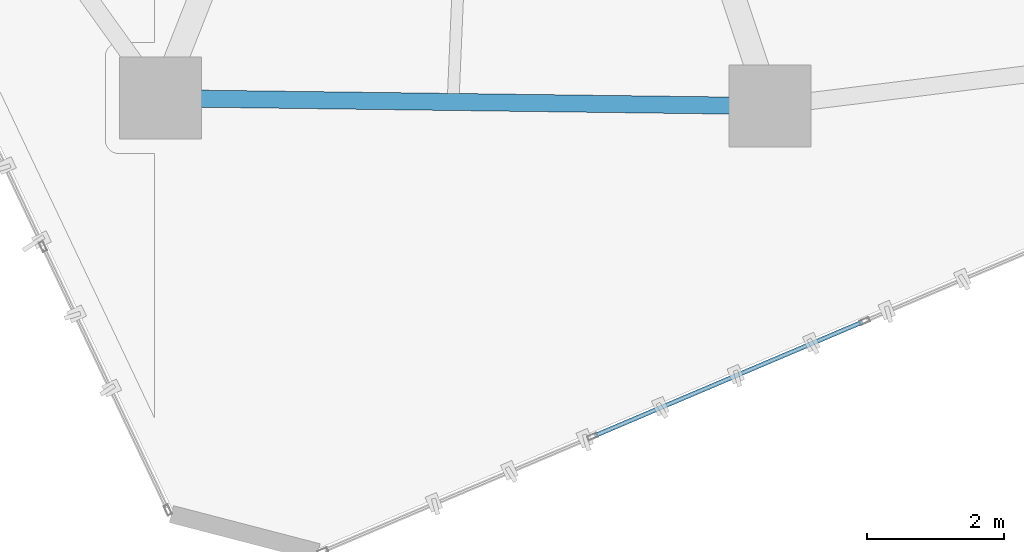
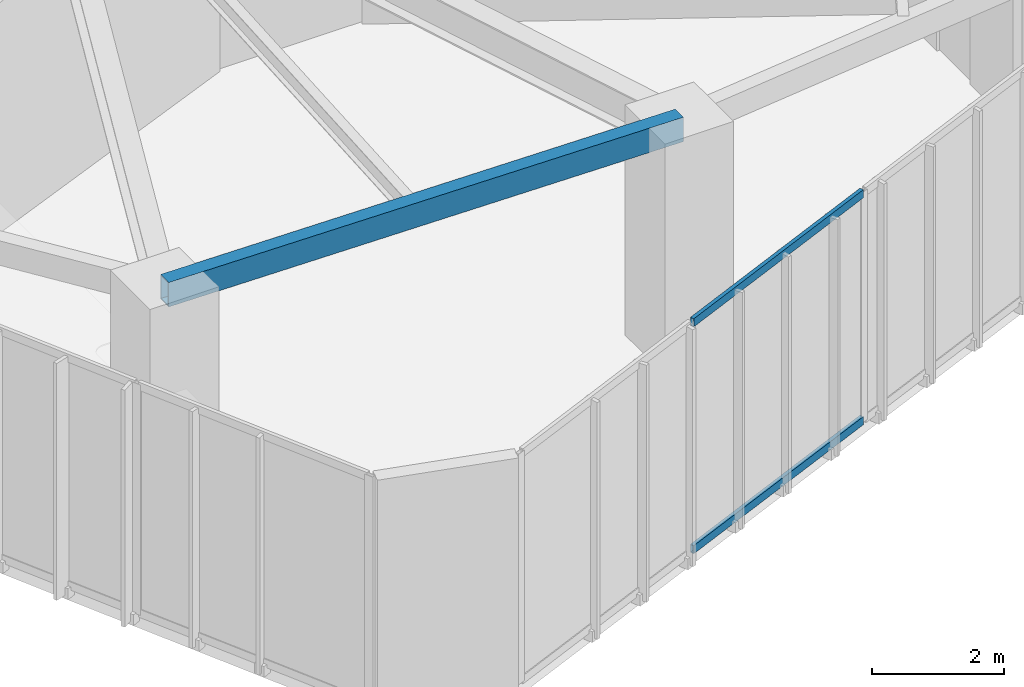
# One storey, part 3 of 28: 2 members, 1 beam, 1 element without a shape of its own.
"""IFC4 building model written with IfcOpenShell, lengths in metres."""

from ifc_helpers import new_model, si_unit, direction, frame, origin, origin_2d, place, context, subcontext, project, spatial, hollow_rectangle, extrude, source, transform, mapped, material, layer, layer_set, material_profile, profile_set, type_object, type_shapes, element, aggregate, save


model = new_model("IFC4")

# Units and contexts
model_context = context("Model", 3, precision=1e-05, world=origin(), true_north=direction((0.0, 1.0)))
body_context = subcontext(model_context, "Body", "Model", "MODEL_VIEW")
ifc_project = project(units=[si_unit("LENGTHUNIT", "METRE"), si_unit("AREAUNIT", "SQUARE_METRE"), si_unit("VOLUMEUNIT", "CUBIC_METRE"), si_unit("PLANEANGLEUNIT", "RADIAN"), si_unit("MASSUNIT", "GRAM", prefix="KILO")], contexts=[model_context])

# Site, building, storey
site_placement = place(None, origin())
site = spatial("IfcSite", under=ifc_project, at=site_placement, CompositionType="ELEMENT")
building_placement = place(site_placement, origin())
building = spatial("IfcBuilding", under=site, at=building_placement, Name="Talar Marvaseh", CompositionType="ELEMENT")
storey_placement = place(building_placement, frame((0.0, 0.0, 157.800048828125)))
storey = spatial("IfcBuildingStorey", under=building, at=storey_placement, Name="L41", CompositionType="ELEMENT", Elevation=157.800048828125)

# Beam
ifc_material_1 = material(Name="Steel S355", Category="steel")
ifc_material_profile_1 = material_profile(ifc_material_1, hollow_rectangle(XDim=0.25, YDim=0.449951171875, WallThickness=0.01611328125, at=origin_2d()), Name="RHS450x250x16")
ifc_profile_set_1 = profile_set([ifc_material_profile_1], Name="Steel S355")
beam_type = type_object("IfcBeamType", Name="Zone 2 Perimeter Spandrel Beam RHS450x250x16", PredefinedType="SPANDREL", material=ifc_profile_set_1)
beam_placement = place(storey_placement, frame((22.804931640625, 13.18310546875, 4.02490234375), z_axis=(-0.999915383581, 0.013008677034, 0.0), x_axis=(-0.013008677034, -0.999915383581, 0.0)))
element("IfcBeam", 1, at=beam_placement, inside=storey, type_object=beam_type, Name="L41 Zone 2 Perimeter Spandrel Beam RHS450x250x16", PredefinedType="SPANDREL", context=body_context, shape_type="SweptSolid", body=[
    extrude(hollow_rectangle(XDim=0.25, YDim=0.449951171875, WallThickness=0.01611328125, at=origin_2d()), origin(), (0.0, 0.0, 1.0), 8.91455078125),
])

# Curtain wall, members
ifc_material_2 = material(Name="Architectural Aluminium", Category="aluminium")
ifc_layer = layer(ifc_material_2, 0.239990234375)
ifc_layer_set = layer_set([ifc_layer], Name="Architectural Aluminium")
curtain_wall_type = type_object("IfcCurtainWallType", Name="Observation Sky Gallery Structural Glass Wall", PredefinedType="NOTDEFINED", material=ifc_layer_set)
curtain_wall_placement = place(storey_placement, origin())
curtain_wall = element("IfcCurtainWall", 2, at=curtain_wall_placement, inside=storey, type_object=curtain_wall_type, Name="L41 Observation Sky Gallery Structural Glass Wall", PredefinedType="NOTDEFINED")
ifc_material_profile_2 = material_profile(ifc_material_2, hollow_rectangle(XDim=0.06494140625, YDim=0.14990234375, WallThickness=0.00390625, at=origin_2d()), Name="RHS150x65x4")
ifc_profile_set_2 = profile_set([ifc_material_profile_2], Name="Architectural Aluminium")
member_type = type_object("IfcMemberType", Name="Unitised Curtain Wall Slim Transom RHS150x65x4", PredefinedType="USERDEFINED", material=ifc_profile_set_2)
shared_shape = source(origin(), body_context, "Body", "SweptSolid", [
    extrude(hollow_rectangle(XDim=0.06494140625, YDim=0.14990234375, WallThickness=0.00390625, at=origin_2d()), origin(), (0.0, 0.0, 1.0), 4.2587890625),
])
type_shapes(member_type, [shared_shape])
member_1_placement = place(storey_placement, frame((24.16162109375, 10.0244140625, 0.032470703125), z_axis=(-0.920450568177, -0.390858991893, 0.0), x_axis=(0.390858991893, -0.920450568177, 0.0)))
member_1 = element("IfcMember", 3, at=member_1_placement, type_object=member_type, Name="CW-OBS transom 4.1", ObjectType="TRANSOM", PredefinedType="USERDEFINED", context=body_context, shape_type="MappedRepresentation", body=[
    mapped(shared_shape, transform((0.0, 0.0, 0.0), x_axis=(1.0, 0.0, 0.0), y_axis=(0.0, 1.0, 0.0), z_axis=(0.0, 0.0, 1.0), scale=1.0)),
])
member_2_placement = place(storey_placement, frame((24.16162109375, 10.0244140625, 4.217529296875), z_axis=(-0.920450568177, -0.390858991893, 0.0), x_axis=(0.390858991893, -0.920450568177, 0.0)))
member_2 = element("IfcMember", 4, at=member_2_placement, type_object=member_type, Name="CW-OBS transom 4.2", ObjectType="TRANSOM", PredefinedType="USERDEFINED", context=body_context, shape_type="MappedRepresentation", body=[
    mapped(shared_shape, transform((0.0, 0.0, 0.0), x_axis=(1.0, 0.0, 0.0), y_axis=(0.0, 1.0, 0.0), z_axis=(0.0, 0.0, 1.0), scale=1.0)),
])
aggregate(curtain_wall, [member_1, member_2])

save(model, "model.ifc")
